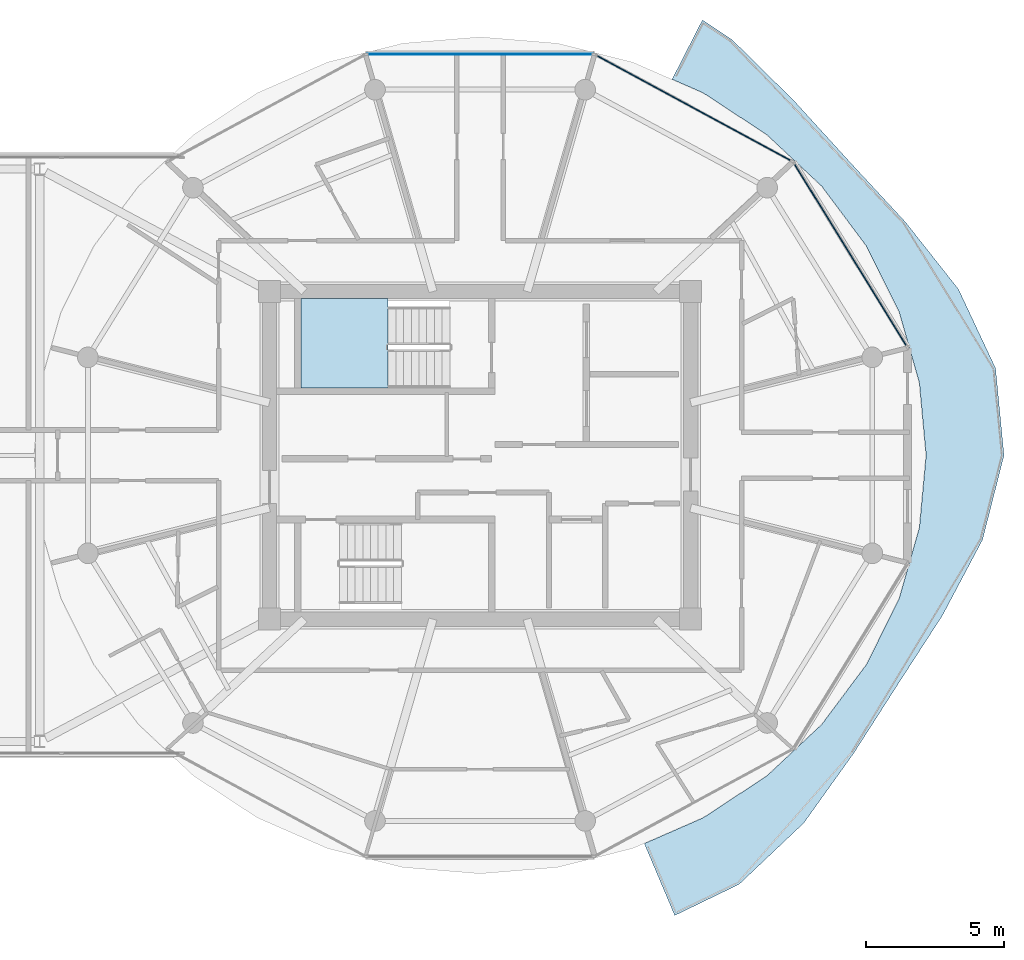
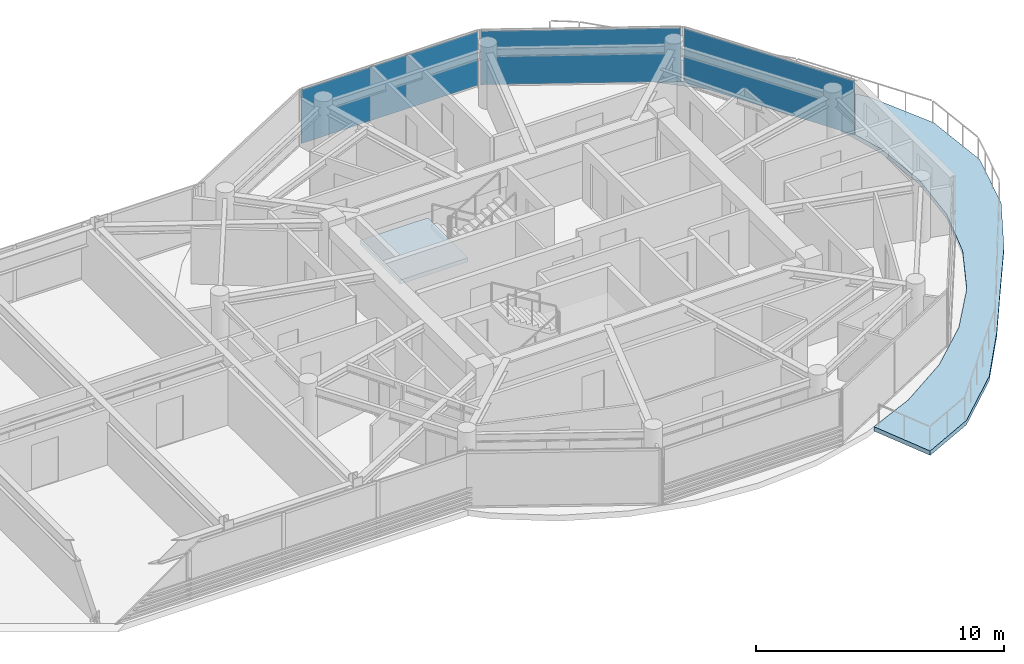
# One storey, part 13 of 24: 3 plates, 2 slabs, 4 elements without a shape of their own.
"""IFC4 building model written with IfcOpenShell, lengths in metres."""

from ifc_helpers import new_model, si_unit, direction, frame, origin, origin_2d, place, context, subcontext, project, spatial, polyline, rectangle, outline, extrude, source, transform, mapped, material, layer, layer_set, type_object, type_shapes, element, aggregate, save


model = new_model("IFC4")

# Units and contexts
model_context = context("Model", 3, precision=1e-05, world=origin(), true_north=direction((0.0, 1.0)))
body_context = subcontext(model_context, "Body", "Model", "MODEL_VIEW")
ifc_project = project(units=[si_unit("LENGTHUNIT", "METRE"), si_unit("AREAUNIT", "SQUARE_METRE"), si_unit("VOLUMEUNIT", "CUBIC_METRE"), si_unit("PLANEANGLEUNIT", "RADIAN"), si_unit("MASSUNIT", "GRAM", prefix="KILO")], contexts=[model_context])

# Site, building, storey
site_placement = place(None, origin())
site = spatial("IfcSite", under=ifc_project, at=site_placement, CompositionType="ELEMENT")
building_placement = place(site_placement, origin())
building = spatial("IfcBuilding", under=site, at=building_placement, Name="Norrkilde Senior Care Towers", CompositionType="ELEMENT")
storey_placement = place(building_placement, frame((0.0, 0.0, 213.89990234375)))
storey = spatial("IfcBuildingStorey", under=building, at=storey_placement, Name="L66", CompositionType="ELEMENT", Elevation=213.89990234375)

# Slab
ifc_material_1 = material(Name="Concrete C50/60", Category="concrete")
ifc_layer_1 = layer(ifc_material_1, 0.215087890625)
ifc_layer_set_1 = layer_set([ifc_layer_1], Name="Concrete C50/60")
slab_type_1 = type_object("IfcSlabType", Name="Sinusoidal Balcony Ribbon Slab 215", PredefinedType="FLOOR", material=ifc_layer_set_1)
slab_1_placement = place(storey_placement, frame((0.0, 0.0, -0.21484375)))
element("IfcSlab", 1, at=slab_1_placement, inside=storey, type_object=slab_type_1, Name="L66 Drum E Swirling Senior Balcony 1", PredefinedType="FLOOR", context=body_context, shape_type="SweptSolid", body=[
    extrude(outline(polyline([(41.578369140625, -10.815185546875), (39.76123046875, -13.35595703125), (37.410888671875, -15.583251953125), (35.07177734375, -16.715087890625), (33.966552734375, -14.1025390625), (36.1025390625, -13.16796875), (38.416259765625, -11.647705078125), (40.413818359375, -9.773681640625), (42.033935546875, -7.6025390625), (43.227783203125, -5.200439453125), (43.958740234375, -2.640380859375), (44.205078125, 0.0), (43.958740234375, 2.640380859375), (43.227783203125, 5.200439453125), (42.033935546875, 7.6025390625), (40.413818359375, 9.773681640625), (38.416259765625, 11.647705078125), (36.1025390625, 13.16796875), (34.976806640625, 13.660400390625), (36.0771484375, 15.814453125), (37.150634765625, 15.103271484375), (39.39453125, 12.890625), (41.417724609375, 10.671630859375), (43.451416015625, 8.474853515625), (45.37890625, 6.03515625), (46.726806640625, 3.16064453125), (47.032958984375, 0.0), (46.252197265625, -3.0712890625), (44.800048828125, -5.810546875), (43.18310546875, -8.309814453125), (41.578369140625, -10.815185546875)])), origin(), (0.0, 0.0, 1.0), 0.21484375),
])

# Stair, slab
ifc_material_2 = material(Name="Concrete C45/55", Category="concrete")
stair_type = type_object("IfcStairType", Name="Core Protected Dogleg Stair Typical 3050", PredefinedType="HALF_TURN_STAIR", material=ifc_material_2)
stair_placement = place(storey_placement, origin())
stair = element("IfcStair", 2, at=stair_placement, inside=storey, type_object=stair_type, Name="L66 Protected Core Stair E1", PredefinedType="HALF_TURN_STAIR")
ifc_layer_2 = layer(ifc_material_2, 0.199951171875)
ifc_layer_set_2 = layer_set([ifc_layer_2], Name="Concrete C45/55")
slab_type_2 = type_object("IfcSlabType", Name="Stair Landing Slab 200", PredefinedType="LANDING", material=ifc_layer_set_2)
slab_2_placement = place(storey_placement, frame((0.0, 0.0, 1.3251953125)))
slab_2 = element("IfcSlab", 3, at=slab_2_placement, type_object=slab_type_2, Name="ST-E1 landing 1", PredefinedType="LANDING", context=body_context, shape_type="SweptSolid", body=[
    extrude(outline(polyline([(24.659912109375, 5.68994140625), (21.5, 5.68994140625), (21.5, 2.449951171875), (24.659912109375, 2.449951171875), (24.659912109375, 5.68994140625)])), origin(), (0.0, 0.0, 1.0), 0.199951171875),
])
aggregate(stair, [slab_2])

# Curtain wall, plate
ifc_material_3 = material(Name="Triple Low-E Insulated Glazing", Category="glass")
ifc_layer_3 = layer(ifc_material_3, 0.18505859375)
ifc_layer_set_3 = layer_set([ifc_layer_3], Name="Triple Low-E Insulated Glazing")
curtain_wall_type = type_object("IfcCurtainWallType", Name="CW6 Zone 4 Crown Pavilion Curtain Wall", PredefinedType="NOTDEFINED", material=ifc_layer_set_3)
curtain_wall_1_placement = place(storey_placement, origin())
curtain_wall_1 = element("IfcCurtainWall", 4, at=curtain_wall_1_placement, inside=storey, type_object=curtain_wall_type, Name="L66 Drum E Curtain Wall 00", PredefinedType="NOTDEFINED")
ifc_layer_4 = layer(ifc_material_3, 0.035888671875)
ifc_layer_set_4 = layer_set([ifc_layer_4], Name="Triple Low-E Insulated Glazing")
plate_type = type_object("IfcPlateType", Name="Triple Low-E Vision Curtain Panel 36", PredefinedType="CURTAIN_PANEL", material=ifc_layer_set_4)
shared_shape_1 = source(origin(), body_context, "Body", "SweptSolid", [
    extrude(rectangle(XDim=7.80859375, YDim=0.035888671875, at=origin_2d()), origin(), (0.0, 0.0, 1.0), 2.639892578125),
])
plate_1_placement = place(storey_placement, frame((41.451171875, 7.282958984375, 0.06005859375), z_axis=(0.0, 0.0, 1.0), x_axis=(0.524252726748, -0.851562727283, 0.0)))
plate_1 = element("IfcPlate", 5, at=plate_1_placement, type_object=plate_type, Name="CW-6 panel 1.1", PredefinedType="CURTAIN_PANEL", context=body_context, shape_type="MappedRepresentation", body=[
    mapped(shared_shape_1, transform((0.0, 0.0, 0.0), x_axis=(1.0, 0.0, 0.0), y_axis=(0.0, 1.0, 0.0), z_axis=(0.0, 0.0, 1.0), scale=1.0)),
])
aggregate(curtain_wall_1, [plate_1])

curtain_wall_2_placement = place(storey_placement, origin())
curtain_wall_2 = element("IfcCurtainWall", 6, at=curtain_wall_2_placement, inside=storey, type_object=curtain_wall_type, Name="L66 Drum E Curtain Wall 01", PredefinedType="NOTDEFINED")
shared_shape_2 = source(origin(), body_context, "Body", "SweptSolid", [
    extrude(rectangle(XDim=8.0673828125, YDim=0.035888671875, at=origin_2d()), origin(), (0.0, 0.0, 1.0), 2.639892578125),
])
plate_2_placement = place(storey_placement, frame((35.76611328125, 12.61474609375, 0.06005859375), z_axis=(0.0, 0.0, 1.0), x_axis=(0.879373455772, -0.476132676136, 0.0)))
plate_2 = element("IfcPlate", 7, at=plate_2_placement, type_object=plate_type, Name="CW-6 panel 1.1", PredefinedType="CURTAIN_PANEL", context=body_context, shape_type="MappedRepresentation", body=[
    mapped(shared_shape_2, transform((0.0, 0.0, 0.0), x_axis=(1.0, 0.0, 0.0), y_axis=(0.0, 1.0, 0.0), z_axis=(0.0, 0.0, 1.0), scale=1.0)),
])
aggregate(curtain_wall_2, [plate_2])

curtain_wall_3_placement = place(storey_placement, origin())
curtain_wall_3 = element("IfcCurtainWall", 8, at=curtain_wall_3_placement, inside=storey, type_object=curtain_wall_type, Name="L66 Drum E Curtain Wall 02", PredefinedType="NOTDEFINED")
shared_shape_3 = source(origin(), body_context, "Body", "SweptSolid", [
    extrude(rectangle(XDim=8.193603515625, YDim=0.035888671875, at=origin_2d()), origin(), (0.0, 0.0, 1.0), 2.639892578125),
])
type_shapes(plate_type, [shared_shape_1, shared_shape_2, shared_shape_3])
plate_3_placement = place(storey_placement, frame((28.0, 14.566162109375, 0.06005859375), z_axis=(0.0, 0.0, 1.0), x_axis=(1.0, 0.0, 0.0)))
plate_3 = element("IfcPlate", 9, at=plate_3_placement, type_object=plate_type, Name="CW-6 panel 1.1", PredefinedType="CURTAIN_PANEL", context=body_context, shape_type="MappedRepresentation", body=[
    mapped(shared_shape_3, transform((0.0, 0.0, 0.0), x_axis=(1.0, 0.0, 0.0), y_axis=(0.0, 1.0, 0.0), z_axis=(0.0, 0.0, 1.0), scale=1.0)),
])
aggregate(curtain_wall_3, [plate_3])

save(model, "model.ifc")
